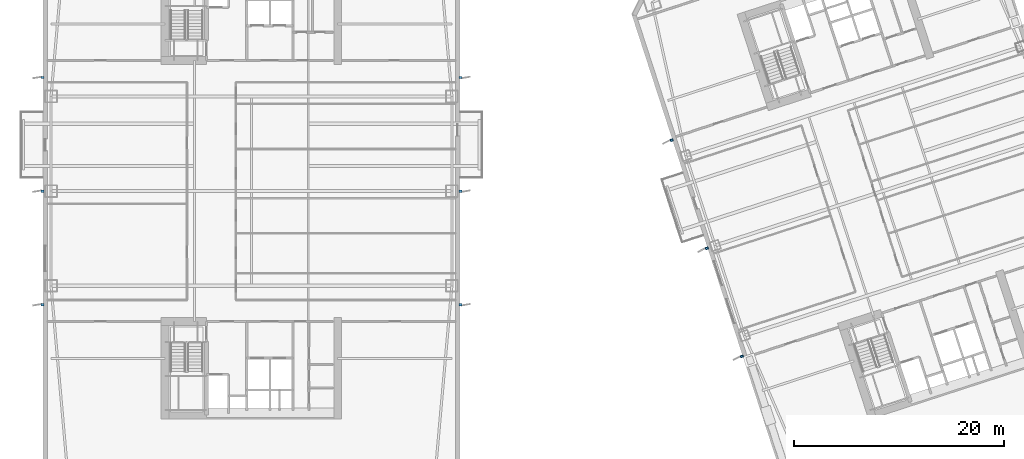
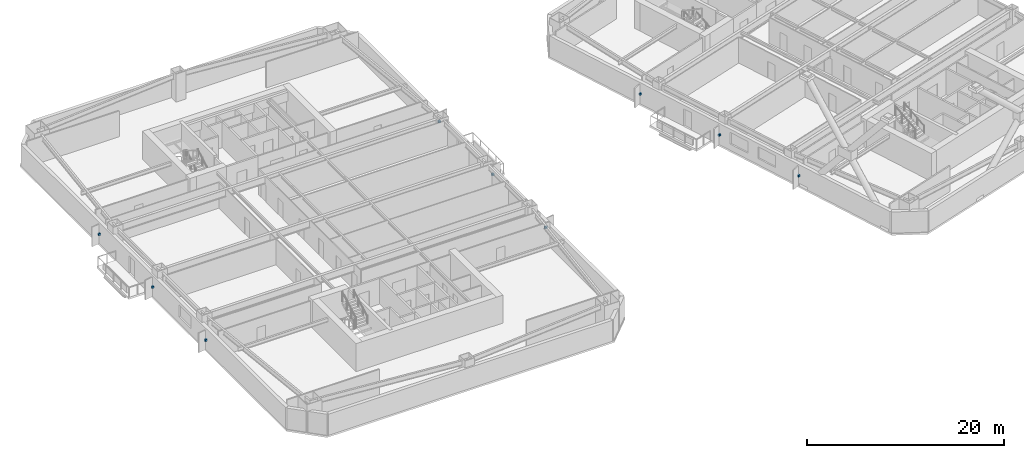
# One storey, part 13 of 19: 9 discrete accessories.
"""IFC4 building model written with IfcOpenShell, lengths in metres."""

import ifcopenshell
import ifcopenshell.guid

model = None  # the IFC model being written
_history = None  # IfcOwnerHistory: only IFC2X3 demands one
_inside = {}  # id of a spatial element -> (the spatial element, [elements in it])
_under = {}  # id of a project, library or spatial element -> (it, [spatial elements below it])
_declared = {}  # id of a project -> (the project, [libraries it declares])
_typed = {}  # id of a type object -> (the type object, [elements of that type])
_made_of = {}  # id of a material, layer set ... -> (it, [elements and type objects made of it])


def new_model(schema):
    """Start an empty IFC model of exactly this schema.

    Asked for "IFC4X3", IfcOpenShell would pick the latest addendum, in which some entities
    have other attributes; the version numbers below select the first issue.
    IFC2X3 requires an IfcOwnerHistory on every rooted entity: one is made here for all.
    """
    global model, _history
    if schema == "IFC4X3":
        model = ifcopenshell.file(schema_version=(4, 3, 0, 0))
    else:
        model = ifcopenshell.file(schema=schema)
    _inside.clear()
    _under.clear()
    _declared.clear()
    _typed.clear()
    _made_of.clear()
    _history = None
    if model.schema == "IFC2X3":
        org = make("IfcOrganization", Name="unknown")
        user = make(
            "IfcPersonAndOrganization",
            ThePerson=make("IfcPerson", FamilyName="unknown"),
            TheOrganization=org,
        )
        app = make(
            "IfcApplication",
            ApplicationDeveloper=org,
            Version="unknown",
            ApplicationFullName="unknown",
            ApplicationIdentifier="unknown",
        )
        _history = make(
            "IfcOwnerHistory",
            OwningUser=user,
            OwningApplication=app,
            ChangeAction="ADDED",
            CreationDate=0,
        )
    return model


def make(cls, **values):
    """One entity of the class cls with the attributes given. An attribute that is None is left unset."""
    return model.create_entity(
        cls, **{name: value for name, value in values.items() if value is not None}
    )


def rooted(cls, **values):
    """An entity with a GlobalId (a new one), such as an element, a storey or a relation."""
    return make(cls, GlobalId=ifcopenshell.guid.new(), OwnerHistory=_history, **values)


def si_unit(unit_type, name, prefix=None):
    """IfcSIUnit, for example si_unit("LENGTHUNIT", "METRE", prefix="MILLI")."""
    return make("IfcSIUnit", UnitType=unit_type, Prefix=prefix, Name=name)


def assignment(units):
    """IfcUnitAssignment: the units of a project."""
    return None if units is None else make("IfcUnitAssignment", Units=units)


def point(xyz):
    """IfcCartesianPoint."""
    return None if xyz is None else make("IfcCartesianPoint", Coordinates=xyz)


def direction(xyz):
    """IfcDirection."""
    return None if xyz is None else make("IfcDirection", DirectionRatios=xyz)


def frame(location, z_axis=None, x_axis=None):
    """IfcAxis2Placement3D, a coordinate frame: its origin and axes. An axis left out is left unset."""
    return make(
        "IfcAxis2Placement3D",
        Location=point(location),
        Axis=direction(z_axis),
        RefDirection=direction(x_axis),
    )


def frame_2d(location, x_axis=None):
    """IfcAxis2Placement2D, a coordinate frame in the plane: its origin and x axis."""
    return make(
        "IfcAxis2Placement2D", Location=point(location), RefDirection=direction(x_axis)
    )


def origin():
    """The frame at (0, 0, 0) with its axes left unset."""
    return frame((0.0, 0.0, 0.0))


def origin_2d():
    """The frame at (0, 0) in the plane with its x axis left unset."""
    return frame_2d((0.0, 0.0))


def place(relative_to, where):
    """IfcLocalPlacement: puts the frame where relative to a parent placement (None: the world)."""
    return make(
        "IfcLocalPlacement", PlacementRelTo=relative_to, RelativePlacement=where
    )


def context(
    kind, dimensions, precision=None, world=None, true_north=None, identifier=None
):
    """IfcGeometricRepresentationContext, for example the 3D "Model" context."""
    return make(
        "IfcGeometricRepresentationContext",
        ContextIdentifier=identifier,
        ContextType=kind,
        CoordinateSpaceDimension=dimensions,
        Precision=precision,
        WorldCoordinateSystem=world,
        TrueNorth=true_north,
    )


def subcontext(parent, identifier, kind, view, scale=None):
    """IfcGeometricRepresentationSubContext, for example "Body" below "Model"."""
    return make(
        "IfcGeometricRepresentationSubContext",
        ContextIdentifier=identifier,
        ContextType=kind,
        ParentContext=parent,
        TargetScale=scale,
        TargetView=view,
    )


def project(units=None, contexts=None):
    """IfcProject with its units and contexts."""
    return rooted(
        "IfcProject",
        Name="project",
        RepresentationContexts=contexts,
        UnitsInContext=assignment(units),
    )


def spatial(cls, under=None, at=None, **own):
    """A site, building, storey or space (cls), placed at a placement, below another one or the project."""
    s = rooted(cls, ObjectPlacement=at, **own)
    if under is not None:
        _under.setdefault(under.id(), (under, []))[1].append(s)
    return s


def profile(cls, at=None, kind="AREA", **sizes):
    """A parametric profile (cls). Its sizes go by their IFC names, for example OverallWidth=200.0."""
    return make(cls, ProfileType=kind, Position=at, **sizes)


def rectangle(**sizes):
    """IfcRectangleProfileDef."""
    return profile("IfcRectangleProfileDef", **sizes)


def extrude(swept, where, along, depth):
    """IfcExtrudedAreaSolid: the profile swept, set in the frame where, extruded along a direction by depth."""
    return make(
        "IfcExtrudedAreaSolid",
        SweptArea=swept,
        Position=where,
        ExtrudedDirection=direction(along),
        Depth=depth,
    )


def shape(context_of_items, identifier, shape_type, items):
    """IfcShapeRepresentation: the items that make up one representation, for example the "Body"."""
    return make(
        "IfcShapeRepresentation",
        ContextOfItems=context_of_items,
        RepresentationIdentifier=identifier,
        RepresentationType=shape_type,
        Items=items,
    )


def material(Name=None, Category=None):
    """IfcMaterial."""
    return make("IfcMaterial", Name=Name, Category=Category)


def made_of(thing, what):
    """Note that an element or type object is made of a material, layer set ...; save() writes the relation."""
    if what is not None:
        _made_of.setdefault(what.id(), (what, []))[1].append(thing)
    return thing


def type_object(cls, material=None, **own):
    """A type object (cls), such as IfcWallType, which elements share."""
    return made_of(rooted(cls, **own), material)


def element(
    cls,
    number,
    at=None,
    inside=None,
    cuts=None,
    type_object=None,
    material=None,
    context=None,
    identifier="Body",
    shape_type=None,
    held_by="IfcProductDefinitionShape",
    body=None,
    shapes=None,
    **own,
):
    """One element of the class cls, such as IfcWall. Its Tag is "e" and its number.

    at: its placement. inside: the storey or other place that contains it. cuts: it is an
    opening in that element (IfcRelVoidsElement). A single representation is given by context,
    identifier, shape_type and body (its items); several are given by shapes. held_by: the class
    of the entity that holds the representations. save() writes the other relations.
    """
    e = rooted(cls, Tag="e%d" % number, ObjectPlacement=at, **own)
    if body is not None:
        shapes = [shape(context, identifier, shape_type, body)]
    if shapes is not None:
        e.Representation = make(held_by, Representations=shapes)
    if inside is not None:
        _inside.setdefault(inside.id(), (inside, []))[1].append(e)
    if cuts is not None:
        rooted(
            "IfcRelVoidsElement", RelatingBuildingElement=cuts, RelatedOpeningElement=e
        )
    if type_object is not None:
        _typed.setdefault(type_object.id(), (type_object, []))[1].append(e)
    return made_of(e, material)


def aggregate(whole, parts):
    """IfcRelAggregates: a whole, such as a stair, and the parts it consists of."""
    return rooted("IfcRelAggregates", RelatingObject=whole, RelatedObjects=parts)


def save(model, path):
    """Write the relations noted so far, then the file.

    IfcRelAggregates (storeys below a building ...), IfcRelContainedInSpatialStructure (elements
    in a storey), IfcRelDefinesByType, IfcRelAssociatesMaterial and IfcRelDeclares: one each for
    every whole, place, type object, material and project.
    """
    for whole, parts in _under.values():
        aggregate(whole, parts)
    for where, things in _inside.values():
        rooted(
            "IfcRelContainedInSpatialStructure",
            RelatedElements=things,
            RelatingStructure=where,
        )
    for kind, things in _typed.values():
        rooted("IfcRelDefinesByType", RelatedObjects=things, RelatingType=kind)
    for what, things in _made_of.values():
        rooted("IfcRelAssociatesMaterial", RelatedObjects=things, RelatingMaterial=what)
    for by, libraries in _declared.values():
        rooted("IfcRelDeclares", RelatingContext=by, RelatedDefinitions=libraries)
    model.write(path)


model = new_model("IFC4")

# Units and contexts
model_context = context("Model", 3, precision=1e-05, world=origin(), true_north=direction((0.0, 1.0)))
body_context = subcontext(model_context, "Body", "Model", "MODEL_VIEW")
ifc_project = project(units=[si_unit("LENGTHUNIT", "METRE"), si_unit("AREAUNIT", "SQUARE_METRE"), si_unit("VOLUMEUNIT", "CUBIC_METRE"), si_unit("PLANEANGLEUNIT", "RADIAN"), si_unit("MASSUNIT", "GRAM", prefix="KILO")], contexts=[model_context])

# Site, building, storey
site_placement = place(None, origin())
site = spatial("IfcSite", under=ifc_project, at=site_placement, CompositionType="ELEMENT")
building_placement = place(site_placement, origin())
building = spatial("IfcBuilding", under=site, at=building_placement, Name="Qiaolan Cultural Towers", CompositionType="ELEMENT")
storey_placement = place(building_placement, frame((0.0, 0.0, 78.199951171875)))
storey = spatial("IfcBuildingStorey", under=building, at=storey_placement, Name="L19", CompositionType="ELEMENT", Elevation=78.199951171875)

# Discrete accessories
ifc_material = material(Name="Stainless Steel S31608 Facade Anchor Bracket", Category="steel")
discrete_accessory_type = type_object("IfcDiscreteAccessoryType", Name="ACC-BRK-SS", PredefinedType="BRACKET", material=ifc_material)
for number, where, z_axis, x_axis, name in (
    (1, (10.1201171875, 23.199951171875, 1.18505859375), (0.0, 0.0, 1.0), (1.0, 0.0, 0.0), "L19 T1 Facade Fin Anchor Bracket W1"),
    (2, (10.1201171875, 34.0, 1.18505859375), (0.0, 0.0, 1.0), (1.0, 0.0, 0.0), "L19 T1 Facade Fin Anchor Bracket W2"),
    (3, (10.1201171875, 44.800048828125, 1.18505859375), (0.0, 0.0, 1.0), (1.0, 0.0, 0.0), "L19 T1 Facade Fin Anchor Bracket W3"),
    (4, (49.8798828125, 23.199951171875, 1.18505859375), (0.0, 0.0, 1.0), (1.0, 0.0, 0.0), "L19 T1 Facade Fin Anchor Bracket E1"),
    (5, (49.8798828125, 34.0, 1.18505859375), (0.0, 0.0, 1.0), (1.0, 0.0, 0.0), "L19 T1 Facade Fin Anchor Bracket E2"),
    (6, (49.8798828125, 44.800048828125, 1.18505859375), (0.0, 0.0, 1.0), (1.0, 0.0, 0.0), "L19 T1 Facade Fin Anchor Bracket E3"),
    (7, (76.617919921875, 18.296142578125, 1.18505859375), (0.0, 0.0, 1.0), (0.951056516295, 0.309016994375, 0.0), "L19 T2 Facade Fin Anchor Bracket W1"),
    (8, (73.280517578125, 28.5673828125, 1.18505859375), (0.0, 0.0, 1.0), (0.951056516295, 0.309016994375, 0.0), "L19 T2 Facade Fin Anchor Bracket W2"),
    (9, (69.943115234375, 38.8388671875, 1.18505859375), (0.0, 0.0, 1.0), (0.951056516295, 0.309016994375, 0.0), "L19 T2 Facade Fin Anchor Bracket W3"),
):
    element("IfcDiscreteAccessory", number, at=place(storey_placement, frame(where, z_axis=z_axis, x_axis=x_axis)), inside=storey, type_object=discrete_accessory_type, Name=name, PredefinedType="BRACKET", context=body_context, shape_type="SweptSolid", body=[
        extrude(rectangle(XDim=0.280029296875, YDim=0.219970703125, at=origin_2d()), origin(), (0.0, 0.0, 1.0), 0.239990234375),
    ])

save(model, "model.ifc")
